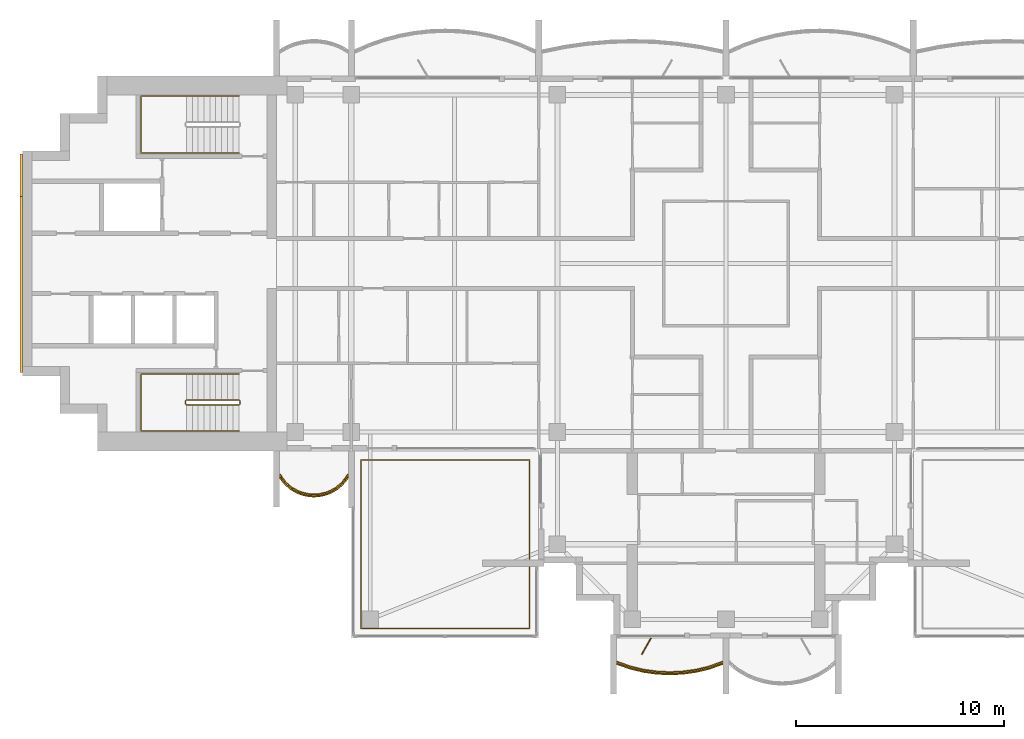
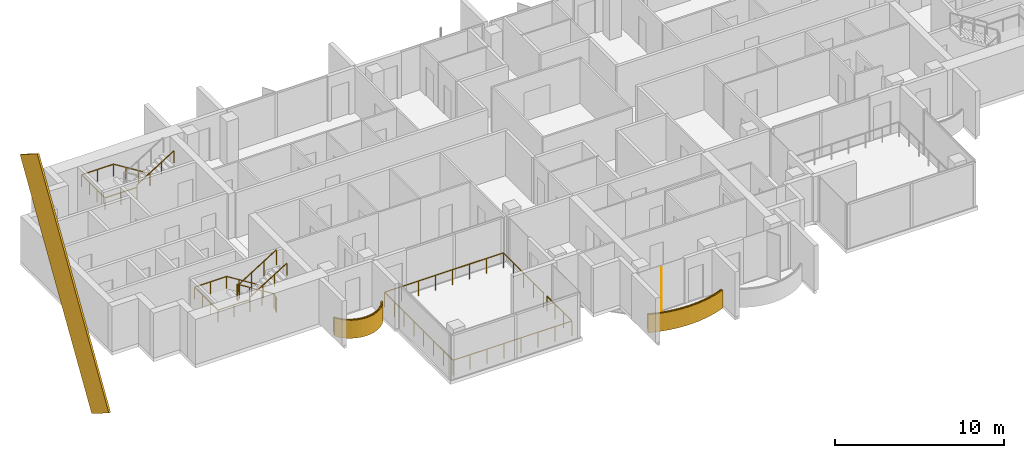
# One storey, part 13 of 16: 6 railings, 3 coverings, 1 shading device.
"""IFC4 building model written with IfcOpenShell, lengths in metres."""

from ifc_helpers import new_model, si_unit, direction, frame, origin, origin_2d, place, context, subcontext, project, spatial, polyline, rectangle, outline, extrude, material, layer, layer_set, material_profile, profile_set, type_object, element, save


model = new_model("IFC4")

# Units and contexts
model_context = context("Model", 3, precision=1e-05, world=origin(), true_north=direction((0.0, 1.0)))
body_context = subcontext(model_context, "Body", "Model", "MODEL_VIEW")
ifc_project = project(units=[si_unit("LENGTHUNIT", "METRE"), si_unit("AREAUNIT", "SQUARE_METRE"), si_unit("VOLUMEUNIT", "CUBIC_METRE"), si_unit("PLANEANGLEUNIT", "RADIAN"), si_unit("MASSUNIT", "GRAM", prefix="KILO")], contexts=[model_context])

# Site, building, storey
site_placement = place(None, origin())
site = spatial("IfcSite", under=ifc_project, at=site_placement, CompositionType="ELEMENT")
building_placement = place(site_placement, origin())
building = spatial("IfcBuilding", under=site, at=building_placement, Name="Perihelion Cross Residences", CompositionType="ELEMENT")
storey_placement = place(building_placement, frame((0.0, 0.0, 253.5)))
storey = spatial("IfcBuildingStorey", under=building, at=storey_placement, Name="L64", CompositionType="ELEMENT", Elevation=253.5)

# Coverings
ifc_material_1 = material(Name="Bronze anodised aluminium", Category="aluminium")
ifc_layer_1 = layer(ifc_material_1, 0.070068359375)
ifc_layer_set_1 = layer_set([ifc_layer_1], Name="Balcony fascia 1300")
covering_type_1 = type_object("IfcCoveringType", Name="Balcony fascia 1300", PredefinedType="CLADDING", material=ifc_layer_set_1)
covering_1_placement = place(storey_placement, frame((0.0, 0.0, -0.199951171875)))
element("IfcCovering", 1, at=covering_1_placement, inside=storey, type_object=covering_type_1, Name="Fascia BF1 L64 west side south bay 1", PredefinedType="CLADDING", context=body_context, shape_type="SweptSolid", body=[
    extrude(outline(polyline([(-21.226318359375, -10.616455078125), (-20.94091796875, -10.86328125), (-20.655517578125, -11.031494140625), (-20.370361328125, -11.142578125), (-20.085205078125, -11.206298828125), (-19.800048828125, -11.22705078125), (-19.514892578125, -11.206298828125), (-19.229736328125, -11.142578125), (-18.9443359375, -11.031494140625), (-18.6591796875, -10.86328125), (-18.373779296875, -10.616455078125), (-18.14990234375, -10.31689453125), (-18.14990234375, -10.199951171875), (-18.425048828125, -10.568603515625), (-18.699951171875, -10.806396484375), (-18.97509765625, -10.96875), (-19.25, -11.07568359375), (-19.52490234375, -11.136962890625), (-19.800048828125, -11.156982421875), (-20.074951171875, -11.136962890625), (-20.35009765625, -11.07568359375), (-20.625, -10.96875), (-20.89990234375, -10.806396484375), (-21.175048828125, -10.568603515625), (-21.449951171875, -10.199951171875), (-21.449951171875, -10.31689453125), (-21.226318359375, -10.616455078125)])), origin(), (0.0, 0.0, 1.0), 1.300048828125),
])
covering_2_placement = place(storey_placement, frame((0.0, 0.0, -0.199951171875)))
element("IfcCovering", 2, at=covering_2_placement, inside=storey, type_object=covering_type_1, Name="Fascia BF1 L64 south tip south bay 1", PredefinedType="CLADDING", context=body_context, shape_type="SweptSolid", body=[
    extrude(outline(polyline([(-4.63232421875, -19.49072265625), (-3.98828125, -19.647216796875), (-3.34423828125, -19.739501953125), (-2.699951171875, -19.77001953125), (-2.055908203125, -19.739501953125), (-1.411865234375, -19.647216796875), (-0.767578125, -19.49072265625), (-0.14990234375, -19.274169921875), (-0.14990234375, -19.199951171875), (-0.78759765625, -19.423583984375), (-1.425048828125, -19.57861328125), (-2.0625, -19.669921875), (-2.699951171875, -19.699951171875), (-3.33740234375, -19.669921875), (-3.97509765625, -19.57861328125), (-4.612548828125, -19.423583984375), (-5.25, -19.199951171875), (-5.25, -19.274169921875), (-4.63232421875, -19.49072265625)])), origin(), (0.0, 0.0, 1.0), 1.300048828125),
])

# Railings
ifc_material_2 = material(Name="Bronze anodised aluminium", Category="aluminium")
railing_type_1 = type_object("IfcRailingType", Name="Balcony guard 1100", PredefinedType="GUARDRAIL", material=ifc_material_2)
railing_1_placement = place(storey_placement, frame((-21.425048828125, -10.139892578125, 0.0)))
element("IfcRailing", 3, at=railing_1_placement, inside=storey, type_object=railing_type_1, Name="Guard GU1 L64 west side south bay 1 balcony", PredefinedType="GUARDRAIL", context=body_context, shape_type="SweptSolid", body=[
    extrude(rectangle(XDim=0.048095703125, YDim=0.048095703125, at=origin_2d()), frame((0.0, 0.0, 1.076171875), z_axis=(0.561260132269, -0.827639452857, 0.0), x_axis=(0.827639452857, 0.561260132269, 0.0)), (0.0, 0.0, 1.0), 0.4453125),
    extrude(rectangle(XDim=0.048095703125, YDim=0.048095703125, at=origin_2d()), frame((0.25, -0.36865234375, 1.076171875), z_axis=(0.756596535164, -0.653882009982, 0.0), x_axis=(0.653882009982, 0.756596535164, 0.0)), (0.0, 0.0, 1.0), 0.36376953125),
    extrude(rectangle(XDim=0.048095703125, YDim=0.048095703125, at=origin_2d()), frame((0.525146484375, -0.6064453125, 1.076171875), z_axis=(0.861048292884, -0.508523192511, 0.0), x_axis=(0.508523192511, 0.861048292884, 0.0)), (0.0, 0.0, 1.0), 0.3193359375),
    extrude(rectangle(XDim=0.048095703125, YDim=0.048095703125, at=origin_2d()), frame((0.800048828125, -0.768798828125, 1.076171875), z_axis=(0.931973602183, -0.362526143656, 0.0), x_axis=(0.362526143656, 0.931973602183, 0.0)), (0.0, 0.0, 1.0), 0.294921875),
    extrude(rectangle(XDim=0.048095703125, YDim=0.048095703125, at=origin_2d()), frame((1.074951171875, -0.875732421875, 1.076171875), z_axis=(0.976085059389, -0.21738895289, 0.0), x_axis=(0.21738895289, 0.976085059389, 0.0)), (0.0, 0.0, 1.0), 0.281982421875),
    extrude(rectangle(XDim=0.048095703125, YDim=0.048095703125, at=origin_2d()), frame((1.35009765625, -0.93701171875, 1.076171875), z_axis=(0.997358821833, -0.072631814734, 0.0), x_axis=(0.072631814734, 0.997358821833, 0.0)), (0.0, 0.0, 1.0), 0.275634765625),
    extrude(rectangle(XDim=0.048095703125, YDim=0.048095703125, at=origin_2d()), frame((1.625, -0.95703125, 1.076171875), z_axis=(0.997363488337, 0.072567707226, 0.0), x_axis=(-0.072567707226, 0.997363488337, 0.0)), (0.0, 0.0, 1.0), 0.27587890625),
    extrude(rectangle(XDim=0.048095703125, YDim=0.048095703125, at=origin_2d()), frame((1.900146484375, -0.93701171875, 1.076171875), z_axis=(0.976044077717, 0.217572880557, 0.0), x_axis=(-0.217572880557, 0.976044077717, 0.0)), (0.0, 0.0, 1.0), 0.28173828125),
    extrude(rectangle(XDim=0.048095703125, YDim=0.048095703125, at=origin_2d()), frame((2.175048828125, -0.875732421875, 1.076171875), z_axis=(0.931973602183, 0.362526143656, 0.0), x_axis=(-0.362526143656, 0.931973602183, 0.0)), (0.0, 0.0, 1.0), 0.294921875),
    extrude(rectangle(XDim=0.048095703125, YDim=0.048095703125, at=origin_2d()), frame((2.449951171875, -0.768798828125, 1.076171875), z_axis=(0.861245845072, 0.508188542123, 0.0), x_axis=(-0.508188542123, 0.861245845072, 0.0)), (0.0, 0.0, 1.0), 0.319580078125),
    extrude(rectangle(XDim=0.048095703125, YDim=0.048095703125, at=origin_2d()), frame((2.72509765625, -0.6064453125, 1.076171875), z_axis=(0.756309278473, 0.654214242658, 0.0), x_axis=(-0.654214242658, 0.756309278473, 0.0)), (0.0, 0.0, 1.0), 0.363525390625),
    extrude(rectangle(XDim=0.048095703125, YDim=0.048095703125, at=origin_2d()), frame((3.0, -0.36865234375, 1.076171875), z_axis=(0.561260132269, 0.827639452857, 0.0), x_axis=(-0.827639452857, 0.561260132269, 0.0)), (0.0, 0.0, 1.0), 0.4453125),
    extrude(rectangle(XDim=0.0419921875, YDim=0.0419921875, at=origin_2d()), origin(), (0.0, 0.0, 1.0), 1.052001953125),
    extrude(rectangle(XDim=0.0419921875, YDim=0.0419921875, at=origin_2d()), frame((0.25, -0.36865234375, 0.0)), (0.0, 0.0, 1.0), 1.052001953125),
    extrude(rectangle(XDim=0.0419921875, YDim=0.0419921875, at=origin_2d()), frame((0.525146484375, -0.6064453125, 0.0)), (0.0, 0.0, 1.0), 1.052001953125),
    extrude(rectangle(XDim=0.0419921875, YDim=0.0419921875, at=origin_2d()), frame((0.800048828125, -0.768798828125, 0.0)), (0.0, 0.0, 1.0), 1.052001953125),
    extrude(rectangle(XDim=0.0419921875, YDim=0.0419921875, at=origin_2d()), frame((1.074951171875, -0.875732421875, 0.0)), (0.0, 0.0, 1.0), 1.052001953125),
    extrude(rectangle(XDim=0.0419921875, YDim=0.0419921875, at=origin_2d()), frame((1.35009765625, -0.93701171875, 0.0)), (0.0, 0.0, 1.0), 1.052001953125),
    extrude(rectangle(XDim=0.0419921875, YDim=0.0419921875, at=origin_2d()), frame((1.625, -0.95703125, 0.0)), (0.0, 0.0, 1.0), 1.052001953125),
    extrude(rectangle(XDim=0.0419921875, YDim=0.0419921875, at=origin_2d()), frame((1.900146484375, -0.93701171875, 0.0)), (0.0, 0.0, 1.0), 1.052001953125),
    extrude(rectangle(XDim=0.0419921875, YDim=0.0419921875, at=origin_2d()), frame((2.175048828125, -0.875732421875, 0.0)), (0.0, 0.0, 1.0), 1.052001953125),
    extrude(rectangle(XDim=0.0419921875, YDim=0.0419921875, at=origin_2d()), frame((2.449951171875, -0.768798828125, 0.0)), (0.0, 0.0, 1.0), 1.052001953125),
    extrude(rectangle(XDim=0.0419921875, YDim=0.0419921875, at=origin_2d()), frame((2.72509765625, -0.6064453125, 0.0)), (0.0, 0.0, 1.0), 1.052001953125),
    extrude(rectangle(XDim=0.0419921875, YDim=0.0419921875, at=origin_2d()), frame((3.0, -0.36865234375, 0.0)), (0.0, 0.0, 1.0), 1.052001953125),
    extrude(rectangle(XDim=0.0419921875, YDim=0.0419921875, at=origin_2d()), frame((3.25, 0.0, 0.0)), (0.0, 0.0, 1.0), 1.052001953125),
])
railing_2_placement = place(storey_placement, frame((-5.22509765625, -19.139892578125, 0.0)))
element("IfcRailing", 4, at=railing_2_placement, inside=storey, type_object=railing_type_1, Name="Guard GU1 L64 south tip south bay 1 balcony", PredefinedType="GUARDRAIL", context=body_context, shape_type="SweptSolid", body=[
    extrude(rectangle(XDim=0.048095703125, YDim=0.048095703125, at=origin_2d()), frame((0.0, 0.0, 1.076171875), z_axis=(0.939355405384, -0.342945217749, 0.0), x_axis=(0.342945217749, 0.939355405384, 0.0)), (0.0, 0.0, 1.0), 0.652099609375),
    extrude(rectangle(XDim=0.048095703125, YDim=0.048095703125, at=origin_2d()), frame((0.612548828125, -0.2236328125, 1.076171875), z_axis=(0.971676841941, -0.236313594268, 0.0), x_axis=(0.236313594268, 0.971676841941, 0.0)), (0.0, 0.0, 1.0), 0.656005859375),
    extrude(rectangle(XDim=0.048095703125, YDim=0.048095703125, at=origin_2d()), frame((1.25, -0.378662109375, 1.076171875), z_axis=(0.989903964498, -0.141739694763, 0.0), x_axis=(0.141739694763, 0.989903964498, 0.0)), (0.0, 0.0, 1.0), 0.644287109375),
    extrude(rectangle(XDim=0.048095703125, YDim=0.048095703125, at=origin_2d()), frame((1.8876953125, -0.469970703125, 1.076171875), z_axis=(0.998892243319, -0.04705620296, 0.0), x_axis=(0.04705620296, 0.998892243319, 0.0)), (0.0, 0.0, 1.0), 0.63818359375),
    extrude(rectangle(XDim=0.048095703125, YDim=0.048095703125, at=origin_2d()), frame((2.525146484375, -0.5, 1.076171875), z_axis=(0.998892243319, 0.04705620296, 0.0), x_axis=(-0.04705620296, 0.998892243319, 0.0)), (0.0, 0.0, 1.0), 0.63818359375),
    extrude(rectangle(XDim=0.048095703125, YDim=0.048095703125, at=origin_2d()), frame((3.16259765625, -0.469970703125, 1.076171875), z_axis=(0.989896346386, 0.141792889142, 0.0), x_axis=(-0.141792889142, 0.989896346386, 0.0)), (0.0, 0.0, 1.0), 0.64404296875),
    extrude(rectangle(XDim=0.048095703125, YDim=0.048095703125, at=origin_2d()), frame((3.800048828125, -0.378662109375, 1.076171875), z_axis=(0.971676841941, 0.236313594268, 0.0), x_axis=(-0.236313594268, 0.971676841941, 0.0)), (0.0, 0.0, 1.0), 0.656005859375),
    extrude(rectangle(XDim=0.048095703125, YDim=0.048095703125, at=origin_2d()), frame((4.4375, -0.2236328125, 1.076171875), z_axis=(0.939355405384, 0.342945217749, 0.0), x_axis=(-0.342945217749, 0.939355405384, 0.0)), (0.0, 0.0, 1.0), 0.652099609375),
    extrude(rectangle(XDim=0.0419921875, YDim=0.0419921875, at=origin_2d()), origin(), (0.0, 0.0, 1.0), 1.052001953125),
    extrude(rectangle(XDim=0.0419921875, YDim=0.0419921875, at=origin_2d()), frame((0.612548828125, -0.2236328125, 0.0)), (0.0, 0.0, 1.0), 1.052001953125),
    extrude(rectangle(XDim=0.0419921875, YDim=0.0419921875, at=origin_2d()), frame((1.25, -0.378662109375, 0.0)), (0.0, 0.0, 1.0), 1.052001953125),
    extrude(rectangle(XDim=0.0419921875, YDim=0.0419921875, at=origin_2d()), frame((1.8876953125, -0.469970703125, 0.0)), (0.0, 0.0, 1.0), 1.052001953125),
    extrude(rectangle(XDim=0.0419921875, YDim=0.0419921875, at=origin_2d()), frame((2.525146484375, -0.5, 0.0)), (0.0, 0.0, 1.0), 1.052001953125),
    extrude(rectangle(XDim=0.0419921875, YDim=0.0419921875, at=origin_2d()), frame((3.16259765625, -0.469970703125, 0.0)), (0.0, 0.0, 1.0), 1.052001953125),
    extrude(rectangle(XDim=0.0419921875, YDim=0.0419921875, at=origin_2d()), frame((3.800048828125, -0.378662109375, 0.0)), (0.0, 0.0, 1.0), 1.052001953125),
    extrude(rectangle(XDim=0.0419921875, YDim=0.0419921875, at=origin_2d()), frame((4.4375, -0.2236328125, 0.0)), (0.0, 0.0, 1.0), 1.052001953125),
    extrude(rectangle(XDim=0.0419921875, YDim=0.0419921875, at=origin_2d()), frame((5.050048828125, 0.0, 0.0)), (0.0, 0.0, 1.0), 1.052001953125),
])
railing_3_placement = place(storey_placement, frame((-9.449951171875, -14.590087890625, 0.0)))
element("IfcRailing", 5, at=railing_3_placement, inside=storey, type_object=railing_type_1, Name="Guard GU1 L64 pocket south-west 1", PredefinedType="GUARDRAIL", context=body_context, shape_type="SweptSolid", body=[
    extrude(rectangle(XDim=0.048095703125, YDim=0.048095703125, at=origin_2d()), frame((0.0, 0.0, 1.076171875), z_axis=(0.0, -1.0, 0.0), x_axis=(1.0, 0.0, 0.0)), (0.0, 0.0, 1.0), 2.9599609375),
    extrude(rectangle(XDim=0.048095703125, YDim=0.048095703125, at=origin_2d()), frame((0.0, -2.9599609375, 1.076171875), z_axis=(-1.0, 0.0, 0.0), x_axis=(0.0, -1.0, 0.0)), (0.0, 0.0, 1.0), 8.10009765625),
    extrude(rectangle(XDim=0.048095703125, YDim=0.048095703125, at=origin_2d()), frame((-8.10009765625, -2.9599609375, 1.076171875), z_axis=(0.0, 1.0, 0.0), x_axis=(-1.0, 0.0, 0.0)), (0.0, 0.0, 1.0), 8.10009765625),
    extrude(rectangle(XDim=0.048095703125, YDim=0.048095703125, at=origin_2d()), frame((-8.10009765625, 5.14013671875, 1.076171875), z_axis=(1.0, 0.0, 0.0), x_axis=(0.0, 1.0, 0.0)), (0.0, 0.0, 1.0), 8.10009765625),
    extrude(rectangle(XDim=0.048095703125, YDim=0.048095703125, at=origin_2d()), frame((0.0, 5.14013671875, 1.076171875), z_axis=(0.0, -1.0, 0.0), x_axis=(1.0, 0.0, 0.0)), (0.0, 0.0, 1.0), 4.760009765625),
    extrude(rectangle(XDim=0.0419921875, YDim=0.0419921875, at=origin_2d()), origin(), (0.0, 0.0, 1.0), 1.052001953125),
    extrude(rectangle(XDim=0.0419921875, YDim=0.0419921875, at=origin_2d()), frame((0.0, -0.986572265625, 0.0)), (0.0, 0.0, 1.0), 1.052001953125),
    extrude(rectangle(XDim=0.0419921875, YDim=0.0419921875, at=origin_2d()), frame((0.0, -1.973388671875, 0.0)), (0.0, 0.0, 1.0), 1.052001953125),
    extrude(rectangle(XDim=0.0419921875, YDim=0.0419921875, at=origin_2d()), frame((0.0, -2.9599609375, 0.0)), (0.0, 0.0, 1.0), 1.052001953125),
    extrude(rectangle(XDim=0.0419921875, YDim=0.0419921875, at=origin_2d()), frame((-1.1572265625, -2.9599609375, 0.0)), (0.0, 0.0, 1.0), 1.052001953125),
    extrude(rectangle(XDim=0.0419921875, YDim=0.0419921875, at=origin_2d()), frame((-2.314208984375, -2.9599609375, 0.0)), (0.0, 0.0, 1.0), 1.052001953125),
    extrude(rectangle(XDim=0.0419921875, YDim=0.0419921875, at=origin_2d()), frame((-3.471435546875, -2.9599609375, 0.0)), (0.0, 0.0, 1.0), 1.052001953125),
    extrude(rectangle(XDim=0.0419921875, YDim=0.0419921875, at=origin_2d()), frame((-4.628662109375, -2.9599609375, 0.0)), (0.0, 0.0, 1.0), 1.052001953125),
    extrude(rectangle(XDim=0.0419921875, YDim=0.0419921875, at=origin_2d()), frame((-5.785888671875, -2.9599609375, 0.0)), (0.0, 0.0, 1.0), 1.052001953125),
    extrude(rectangle(XDim=0.0419921875, YDim=0.0419921875, at=origin_2d()), frame((-6.94287109375, -2.9599609375, 0.0)), (0.0, 0.0, 1.0), 1.052001953125),
    extrude(rectangle(XDim=0.0419921875, YDim=0.0419921875, at=origin_2d()), frame((-8.10009765625, -2.9599609375, 0.0)), (0.0, 0.0, 1.0), 1.052001953125),
    extrude(rectangle(XDim=0.0419921875, YDim=0.0419921875, at=origin_2d()), frame((-8.10009765625, -1.802734375, 0.0)), (0.0, 0.0, 1.0), 1.052001953125),
    extrude(rectangle(XDim=0.0419921875, YDim=0.0419921875, at=origin_2d()), frame((-8.10009765625, -0.645751953125, 0.0)), (0.0, 0.0, 1.0), 1.052001953125),
    extrude(rectangle(XDim=0.0419921875, YDim=0.0419921875, at=origin_2d()), frame((-8.10009765625, 0.511474609375, 0.0)), (0.0, 0.0, 1.0), 1.052001953125),
    extrude(rectangle(XDim=0.0419921875, YDim=0.0419921875, at=origin_2d()), frame((-8.10009765625, 1.668701171875, 0.0)), (0.0, 0.0, 1.0), 1.052001953125),
    extrude(rectangle(XDim=0.0419921875, YDim=0.0419921875, at=origin_2d()), frame((-8.10009765625, 2.825927734375, 0.0)), (0.0, 0.0, 1.0), 1.052001953125),
    extrude(rectangle(XDim=0.0419921875, YDim=0.0419921875, at=origin_2d()), frame((-8.10009765625, 3.98291015625, 0.0)), (0.0, 0.0, 1.0), 1.052001953125),
    extrude(rectangle(XDim=0.0419921875, YDim=0.0419921875, at=origin_2d()), frame((-8.10009765625, 5.14013671875, 0.0)), (0.0, 0.0, 1.0), 1.052001953125),
    extrude(rectangle(XDim=0.0419921875, YDim=0.0419921875, at=origin_2d()), frame((-6.94287109375, 5.14013671875, 0.0)), (0.0, 0.0, 1.0), 1.052001953125),
    extrude(rectangle(XDim=0.0419921875, YDim=0.0419921875, at=origin_2d()), frame((-5.785888671875, 5.14013671875, 0.0)), (0.0, 0.0, 1.0), 1.052001953125),
    extrude(rectangle(XDim=0.0419921875, YDim=0.0419921875, at=origin_2d()), frame((-4.628662109375, 5.14013671875, 0.0)), (0.0, 0.0, 1.0), 1.052001953125),
    extrude(rectangle(XDim=0.0419921875, YDim=0.0419921875, at=origin_2d()), frame((-3.471435546875, 5.14013671875, 0.0)), (0.0, 0.0, 1.0), 1.052001953125),
    extrude(rectangle(XDim=0.0419921875, YDim=0.0419921875, at=origin_2d()), frame((-2.314208984375, 5.14013671875, 0.0)), (0.0, 0.0, 1.0), 1.052001953125),
    extrude(rectangle(XDim=0.0419921875, YDim=0.0419921875, at=origin_2d()), frame((-1.1572265625, 5.14013671875, 0.0)), (0.0, 0.0, 1.0), 1.052001953125),
    extrude(rectangle(XDim=0.0419921875, YDim=0.0419921875, at=origin_2d()), frame((0.0, 5.14013671875, 0.0)), (0.0, 0.0, 1.0), 1.052001953125),
    extrude(rectangle(XDim=0.0419921875, YDim=0.0419921875, at=origin_2d()), frame((0.0, 3.9501953125, 0.0)), (0.0, 0.0, 1.0), 1.052001953125),
    extrude(rectangle(XDim=0.0419921875, YDim=0.0419921875, at=origin_2d()), frame((0.0, 2.76025390625, 0.0)), (0.0, 0.0, 1.0), 1.052001953125),
    extrude(rectangle(XDim=0.0419921875, YDim=0.0419921875, at=origin_2d()), frame((0.0, 1.570068359375, 0.0)), (0.0, 0.0, 1.0), 1.052001953125),
    extrude(rectangle(XDim=0.0419921875, YDim=0.0419921875, at=origin_2d()), frame((0.0, 0.380126953125, 0.0)), (0.0, 0.0, 1.0), 1.052001953125),
])

# Covering
ifc_material_3 = material(Name="Bronze anodised aluminium", Category="aluminium")
ifc_material_profile = material_profile(ifc_material_3, rectangle(XDim=0.125, YDim=2.39990234375, at=origin_2d()), Name="Bronze cladding band 2400")
ifc_profile_set = profile_set([ifc_material_profile], Name="Bronze anodised aluminium")
covering_type_2 = type_object("IfcCoveringType", Name="Bronze cladding band 2400", PredefinedType="CLADDING", material=ifc_profile_set)
covering_3_placement = place(storey_placement, frame((-33.862548828125, -4.232421875, -5.088134765625), z_axis=(0.0, 0.529931619435, 0.848040375644), x_axis=(-1.0, 0.0, 0.0)))
element("IfcCovering", 6, at=covering_3_placement, inside=storey, type_object=covering_type_2, Name="Core cladding band, west core", PredefinedType="CLADDING", context=body_context, shape_type="SweptSolid", body=[
    extrude(rectangle(XDim=0.125, YDim=2.39990234375, at=origin_2d()), origin(), (0.0, 0.0, 1.0), 15.973388671875),
])

# Shading device
ifc_material_4 = material(Name="Bronze anodised aluminium", Category="aluminium")
ifc_layer_2 = layer(ifc_material_4, 0.050048828125)
ifc_layer_set_2 = layer_set([ifc_layer_2], Name="Bronze fin 900")
shading_device_type = type_object("IfcShadingDeviceType", Name="Bronze fin 900", PredefinedType="USERDEFINED", material=ifc_layer_set_2)
shading_device_placement = place(storey_placement, frame((-3.824951171875, -18.3896484375, 0.0), z_axis=(0.0, 0.0, 1.0), x_axis=(-0.5, -0.866025403784, 0.0)))
element("IfcShadingDevice", 7, at=shading_device_placement, inside=storey, type_object=shading_device_type, Name="Fin FN1 L64 south tip south bay 1", ObjectType="FIN", PredefinedType="USERDEFINED", context=body_context, shape_type="SweptSolid", body=[
    extrude(rectangle(XDim=0.89990234375, YDim=0.050048828125, at=origin_2d()), origin(), (0.0, 0.0, 1.0), 3.25),
])

# Railings
ifc_material_5 = material(Name="Stainless steel", Category="steel")
railing_type_2 = type_object("IfcRailingType", Name="Stair guard 1100", PredefinedType="GUARDRAIL", material=ifc_material_5)
railing_4_placement = place(storey_placement, frame((-23.35009765625, -6.75, 0.0)))
element("IfcRailing", 8, at=railing_4_placement, inside=storey, type_object=railing_type_2, Name="L64 ST-W2 stair guard 1", PredefinedType="GUARDRAIL", context=body_context, shape_type="SweptSolid", body=[
    extrude(rectangle(XDim=0.048095703125, YDim=0.048095703125, at=origin_2d()), frame((0.0, 0.0, 1.076171875), z_axis=(0.0, 1.0, 0.0), x_axis=(-1.0, 0.0, 0.0)), (0.0, 0.0, 1.0), 0.14990234375),
    extrude(rectangle(XDim=0.048095703125, YDim=0.048095703125, at=origin_2d()), frame((0.0, 0.14990234375, 1.076171875), z_axis=(-0.263862480399, 0.265155923931, 0.927399011991), x_axis=(-0.708833529934, -0.705375805398, 0.0)), (0.0, 0.0, 1.0), 0.188720703125),
    extrude(rectangle(XDim=0.048095703125, YDim=0.048095703125, at=origin_2d()), frame((-0.0498046875, 0.199951171875, 1.2509765625), z_axis=(-0.848007534815, 0.0, 0.529984170421), x_axis=(0.0, -1.0, 0.0)), (0.0, 0.0, 1.0), 2.9716796875),
    extrude(rectangle(XDim=0.048095703125, YDim=0.048095703125, at=origin_2d()), frame((-2.56982421875, 0.199951171875, 2.826171875), z_axis=(-0.707106781187, -0.707106781187, 0.0), x_axis=(0.707106781187, -0.707106781187, 0.0)), (0.0, 0.0, 1.0), 0.07080078125),
    extrude(rectangle(XDim=0.048095703125, YDim=0.048095703125, at=origin_2d()), frame((-2.619873046875, 0.14990234375, 2.826171875), z_axis=(0.0, -1.0, 0.0), x_axis=(1.0, 0.0, 0.0)), (0.0, 0.0, 1.0), 0.14990234375),
    extrude(rectangle(XDim=0.048095703125, YDim=0.048095703125, at=origin_2d()), frame((-2.619873046875, 0.0, 2.826171875), z_axis=(0.265065253269, -0.265065253269, 0.927081885822), x_axis=(0.707106781187, 0.707106781187, 0.0)), (0.0, 0.0, 1.0), 0.188720703125),
    extrude(rectangle(XDim=0.048095703125, YDim=0.048095703125, at=origin_2d()), frame((-2.56982421875, -0.050048828125, 3.0009765625), z_axis=(0.848007534815, 0.0, 0.529984170421), x_axis=(0.0, 1.0, 0.0)), (0.0, 0.0, 1.0), 2.9716796875),
    extrude(rectangle(XDim=0.0419921875, YDim=0.0419921875, at=origin_2d()), origin(), (0.0, 0.0, 1.0), 1.052001953125),
    extrude(rectangle(XDim=0.0419921875, YDim=0.0419921875, at=origin_2d()), frame((0.0, 0.14990234375, 0.0)), (0.0, 0.0, 1.0), 1.052001953125),
    extrude(rectangle(XDim=0.0419921875, YDim=0.0419921875, at=origin_2d()), frame((-0.0498046875, 0.199951171875, 0.175048828125)), (0.0, 0.0, 1.0), 1.052001953125),
    extrude(rectangle(XDim=0.0419921875, YDim=0.0419921875, at=origin_2d()), frame((-0.889892578125, 0.199951171875, 0.699951171875)), (0.0, 0.0, 1.0), 1.052001953125),
    extrude(rectangle(XDim=0.0419921875, YDim=0.0419921875, at=origin_2d()), frame((-1.729736328125, 0.199951171875, 1.22509765625)), (0.0, 0.0, 1.0), 1.052001953125),
    extrude(rectangle(XDim=0.0419921875, YDim=0.0419921875, at=origin_2d()), frame((-2.56982421875, 0.199951171875, 1.75)), (0.0, 0.0, 1.0), 1.052001953125),
    extrude(rectangle(XDim=0.0419921875, YDim=0.0419921875, at=origin_2d()), frame((-2.619873046875, 0.14990234375, 1.75)), (0.0, 0.0, 1.0), 1.052001953125),
    extrude(rectangle(XDim=0.0419921875, YDim=0.0419921875, at=origin_2d()), frame((-2.619873046875, 0.0, 1.75)), (0.0, 0.0, 1.0), 1.052001953125),
    extrude(rectangle(XDim=0.0419921875, YDim=0.0419921875, at=origin_2d()), frame((-2.56982421875, -0.050048828125, 1.925048828125)), (0.0, 0.0, 1.0), 1.052001953125),
    extrude(rectangle(XDim=0.0419921875, YDim=0.0419921875, at=origin_2d()), frame((-1.729736328125, -0.050048828125, 2.449951171875)), (0.0, 0.0, 1.0), 1.052001953125),
    extrude(rectangle(XDim=0.0419921875, YDim=0.0419921875, at=origin_2d()), frame((-0.889892578125, -0.050048828125, 2.97509765625)), (0.0, 0.0, 1.0), 1.052001953125),
    extrude(rectangle(XDim=0.0419921875, YDim=0.0419921875, at=origin_2d()), frame((-0.0498046875, -0.050048828125, 3.5)), (0.0, 0.0, 1.0), 1.052001953125),
])
ifc_material_6 = material(Name="Stainless steel", Category="steel")
railing_type_3 = type_object("IfcRailingType", Name="Stair handrail 900", PredefinedType="HANDRAIL", material=ifc_material_6)
railing_5_placement = place(storey_placement, frame((-23.39990234375, 8.050048828125, 0.175048828125)))
element("IfcRailing", 9, at=railing_5_placement, inside=storey, type_object=railing_type_3, Name="L64 ST-W1 stair handrail 1", PredefinedType="HANDRAIL", context=body_context, shape_type="SweptSolid", body=[
    extrude(rectangle(XDim=0.048095703125, YDim=0.048095703125, at=origin_2d()), frame((0.0, 0.0, 0.8759765625), z_axis=(-0.848007534815, 0.0, 0.529984170421), x_axis=(0.0, -1.0, 0.0)), (0.0, 0.0, 1.0), 2.9716796875),
    extrude(rectangle(XDim=0.048095703125, YDim=0.048095703125, at=origin_2d()), frame((-2.52001953125, 0.0, 2.45068359375), z_axis=(-1.0, 0.0, 0.0), x_axis=(0.0, -1.0, 0.0)), (0.0, 0.0, 1.0), 2.18017578125),
    extrude(rectangle(XDim=0.048095703125, YDim=0.048095703125, at=origin_2d()), frame((-4.7001953125, 0.0, 2.45068359375), z_axis=(0.0, -1.0, 0.0), x_axis=(1.0, 0.0, 0.0)), (0.0, 0.0, 1.0), 2.75),
    extrude(rectangle(XDim=0.048095703125, YDim=0.048095703125, at=origin_2d()), frame((-4.7001953125, -2.75, 2.45068359375), z_axis=(1.0, 0.0, 0.0), x_axis=(0.0, 1.0, 0.0)), (0.0, 0.0, 1.0), 2.18017578125),
    extrude(rectangle(XDim=0.048095703125, YDim=0.048095703125, at=origin_2d()), frame((-2.52001953125, -2.75, 2.45068359375), z_axis=(0.0, 0.0, 1.0), x_axis=(1.0, 0.0, 0.0)), (0.0, 0.0, 1.0), 0.175048828125),
    extrude(rectangle(XDim=0.048095703125, YDim=0.048095703125, at=origin_2d()), frame((-2.52001953125, -2.75, 2.6259765625), z_axis=(0.848007534815, 0.0, 0.529984170421), x_axis=(0.0, 1.0, 0.0)), (0.0, 0.0, 1.0), 2.9716796875),
    extrude(rectangle(XDim=0.0419921875, YDim=0.0419921875, at=origin_2d()), origin(), (0.0, 0.0, 1.0), 0.851806640625),
    extrude(rectangle(XDim=0.0419921875, YDim=0.0419921875, at=origin_2d()), frame((-0.840087890625, 0.0, 0.52490234375)), (0.0, 0.0, 1.0), 0.851806640625),
    extrude(rectangle(XDim=0.0419921875, YDim=0.0419921875, at=origin_2d()), frame((-1.679931640625, 0.0, 1.050048828125)), (0.0, 0.0, 1.0), 0.851806640625),
    extrude(rectangle(XDim=0.0419921875, YDim=0.0419921875, at=origin_2d()), frame((-2.52001953125, 0.0, 1.574951171875)), (0.0, 0.0, 1.0), 0.851806640625),
    extrude(rectangle(XDim=0.0419921875, YDim=0.0419921875, at=origin_2d()), frame((-3.610107421875, 0.0, 1.574951171875)), (0.0, 0.0, 1.0), 0.851806640625),
    extrude(rectangle(XDim=0.0419921875, YDim=0.0419921875, at=origin_2d()), frame((-4.7001953125, 0.0, 1.574951171875)), (0.0, 0.0, 1.0), 0.851806640625),
    extrude(rectangle(XDim=0.0419921875, YDim=0.0419921875, at=origin_2d()), frame((-4.7001953125, -0.916748046875, 1.574951171875)), (0.0, 0.0, 1.0), 0.851806640625),
    extrude(rectangle(XDim=0.0419921875, YDim=0.0419921875, at=origin_2d()), frame((-4.7001953125, -1.833251953125, 1.574951171875)), (0.0, 0.0, 1.0), 0.851806640625),
    extrude(rectangle(XDim=0.0419921875, YDim=0.0419921875, at=origin_2d()), frame((-4.7001953125, -2.75, 1.574951171875)), (0.0, 0.0, 1.0), 0.851806640625),
    extrude(rectangle(XDim=0.0419921875, YDim=0.0419921875, at=origin_2d()), frame((-3.610107421875, -2.75, 1.574951171875)), (0.0, 0.0, 1.0), 0.851806640625),
    extrude(rectangle(XDim=0.0419921875, YDim=0.0419921875, at=origin_2d()), frame((-2.52001953125, -2.75, 1.574951171875)), (0.0, 0.0, 1.0), 0.851806640625),
    extrude(rectangle(XDim=0.0419921875, YDim=0.0419921875, at=origin_2d()), frame((-2.52001953125, -2.75, 1.75)), (0.0, 0.0, 1.0), 0.851806640625),
    extrude(rectangle(XDim=0.0419921875, YDim=0.0419921875, at=origin_2d()), frame((-1.679931640625, -2.75, 2.27490234375)), (0.0, 0.0, 1.0), 0.851806640625),
    extrude(rectangle(XDim=0.0419921875, YDim=0.0419921875, at=origin_2d()), frame((-0.840087890625, -2.75, 2.800048828125)), (0.0, 0.0, 1.0), 0.851806640625),
    extrude(rectangle(XDim=0.0419921875, YDim=0.0419921875, at=origin_2d()), frame((0.0, -2.75, 3.324951171875)), (0.0, 0.0, 1.0), 0.851806640625),
])
railing_6_placement = place(storey_placement, frame((-23.39990234375, -5.300048828125, 0.175048828125)))
element("IfcRailing", 10, at=railing_6_placement, inside=storey, type_object=railing_type_3, Name="L64 ST-W2 stair handrail 1", PredefinedType="HANDRAIL", context=body_context, shape_type="SweptSolid", body=[
    extrude(rectangle(XDim=0.048095703125, YDim=0.048095703125, at=origin_2d()), frame((0.0, 0.0, 0.8759765625), z_axis=(-0.848007534815, 0.0, 0.529984170421), x_axis=(0.0, -1.0, 0.0)), (0.0, 0.0, 1.0), 2.9716796875),
    extrude(rectangle(XDim=0.048095703125, YDim=0.048095703125, at=origin_2d()), frame((-2.52001953125, 0.0, 2.45068359375), z_axis=(-1.0, 0.0, 0.0), x_axis=(0.0, -1.0, 0.0)), (0.0, 0.0, 1.0), 2.18017578125),
    extrude(rectangle(XDim=0.048095703125, YDim=0.048095703125, at=origin_2d()), frame((-4.7001953125, 0.0, 2.45068359375), z_axis=(0.0, -1.0, 0.0), x_axis=(1.0, 0.0, 0.0)), (0.0, 0.0, 1.0), 2.75),
    extrude(rectangle(XDim=0.048095703125, YDim=0.048095703125, at=origin_2d()), frame((-4.7001953125, -2.75, 2.45068359375), z_axis=(1.0, 0.0, 0.0), x_axis=(0.0, 1.0, 0.0)), (0.0, 0.0, 1.0), 2.18017578125),
    extrude(rectangle(XDim=0.048095703125, YDim=0.048095703125, at=origin_2d()), frame((-2.52001953125, -2.75, 2.45068359375), z_axis=(0.0, 0.0, 1.0), x_axis=(1.0, 0.0, 0.0)), (0.0, 0.0, 1.0), 0.175048828125),
    extrude(rectangle(XDim=0.048095703125, YDim=0.048095703125, at=origin_2d()), frame((-2.52001953125, -2.75, 2.6259765625), z_axis=(0.848007534815, 0.0, 0.529984170421), x_axis=(0.0, 1.0, 0.0)), (0.0, 0.0, 1.0), 2.9716796875),
    extrude(rectangle(XDim=0.0419921875, YDim=0.0419921875, at=origin_2d()), origin(), (0.0, 0.0, 1.0), 0.851806640625),
    extrude(rectangle(XDim=0.0419921875, YDim=0.0419921875, at=origin_2d()), frame((-0.840087890625, 0.0, 0.52490234375)), (0.0, 0.0, 1.0), 0.851806640625),
    extrude(rectangle(XDim=0.0419921875, YDim=0.0419921875, at=origin_2d()), frame((-1.679931640625, 0.0, 1.050048828125)), (0.0, 0.0, 1.0), 0.851806640625),
    extrude(rectangle(XDim=0.0419921875, YDim=0.0419921875, at=origin_2d()), frame((-2.52001953125, 0.0, 1.574951171875)), (0.0, 0.0, 1.0), 0.851806640625),
    extrude(rectangle(XDim=0.0419921875, YDim=0.0419921875, at=origin_2d()), frame((-3.610107421875, 0.0, 1.574951171875)), (0.0, 0.0, 1.0), 0.851806640625),
    extrude(rectangle(XDim=0.0419921875, YDim=0.0419921875, at=origin_2d()), frame((-4.7001953125, 0.0, 1.574951171875)), (0.0, 0.0, 1.0), 0.851806640625),
    extrude(rectangle(XDim=0.0419921875, YDim=0.0419921875, at=origin_2d()), frame((-4.7001953125, -0.916748046875, 1.574951171875)), (0.0, 0.0, 1.0), 0.851806640625),
    extrude(rectangle(XDim=0.0419921875, YDim=0.0419921875, at=origin_2d()), frame((-4.7001953125, -1.833251953125, 1.574951171875)), (0.0, 0.0, 1.0), 0.851806640625),
    extrude(rectangle(XDim=0.0419921875, YDim=0.0419921875, at=origin_2d()), frame((-4.7001953125, -2.75, 1.574951171875)), (0.0, 0.0, 1.0), 0.851806640625),
    extrude(rectangle(XDim=0.0419921875, YDim=0.0419921875, at=origin_2d()), frame((-3.610107421875, -2.75, 1.574951171875)), (0.0, 0.0, 1.0), 0.851806640625),
    extrude(rectangle(XDim=0.0419921875, YDim=0.0419921875, at=origin_2d()), frame((-2.52001953125, -2.75, 1.574951171875)), (0.0, 0.0, 1.0), 0.851806640625),
    extrude(rectangle(XDim=0.0419921875, YDim=0.0419921875, at=origin_2d()), frame((-2.52001953125, -2.75, 1.75)), (0.0, 0.0, 1.0), 0.851806640625),
    extrude(rectangle(XDim=0.0419921875, YDim=0.0419921875, at=origin_2d()), frame((-1.679931640625, -2.75, 2.27490234375)), (0.0, 0.0, 1.0), 0.851806640625),
    extrude(rectangle(XDim=0.0419921875, YDim=0.0419921875, at=origin_2d()), frame((-0.840087890625, -2.75, 2.800048828125)), (0.0, 0.0, 1.0), 0.851806640625),
    extrude(rectangle(XDim=0.0419921875, YDim=0.0419921875, at=origin_2d()), frame((0.0, -2.75, 3.324951171875)), (0.0, 0.0, 1.0), 0.851806640625),
])

save(model, "model.ifc")
